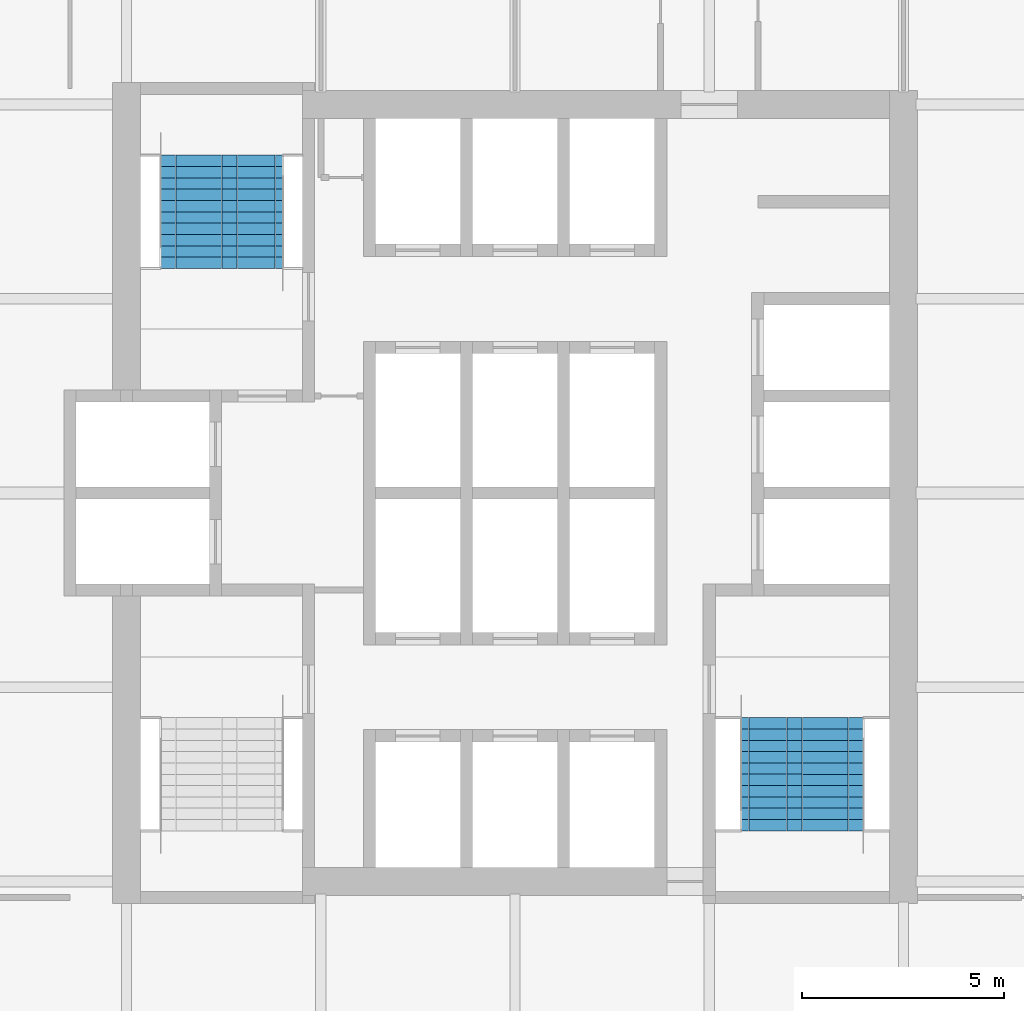
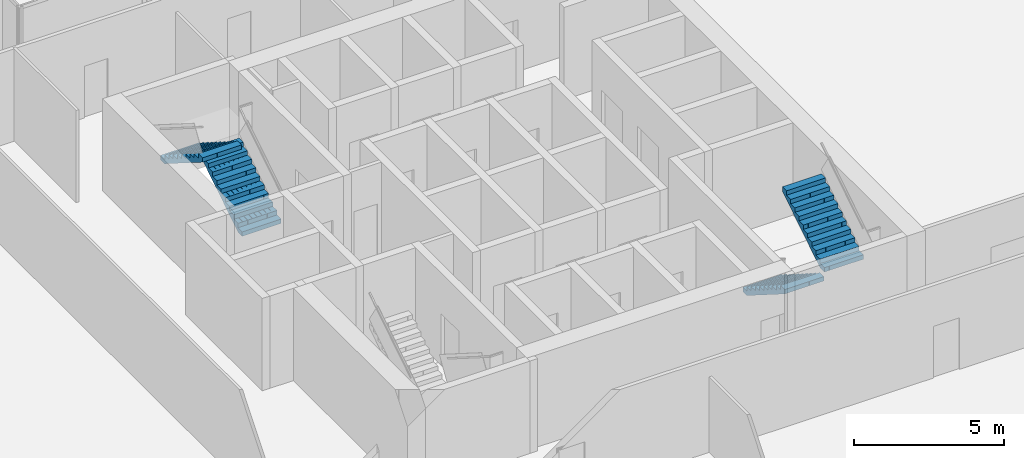
# One storey, part 15 of 17: 4 stair flights, 2 elements without a shape of their own.
"""IFC4 building model written with IfcOpenShell, lengths in metres."""

from ifc_helpers import new_model, si_unit, direction, frame, origin, place, context, subcontext, project, spatial, polyline, outline, extrude, material, type_object, element, aggregate, save


model = new_model("IFC4")

# Units and contexts
model_context = context("Model", 3, precision=1e-05, world=origin(), true_north=direction((0.0, 1.0)))
body_context = subcontext(model_context, "Body", "Model", "MODEL_VIEW")
ifc_project = project(units=[si_unit("LENGTHUNIT", "METRE"), si_unit("AREAUNIT", "SQUARE_METRE"), si_unit("VOLUMEUNIT", "CUBIC_METRE"), si_unit("PLANEANGLEUNIT", "RADIAN"), si_unit("MASSUNIT", "GRAM", prefix="KILO")], contexts=[model_context])

# Site, building, storey
site_placement = place(None, origin())
site = spatial("IfcSite", under=ifc_project, at=site_placement, CompositionType="ELEMENT")
building_placement = place(site_placement, origin())
building = spatial("IfcBuilding", under=site, at=building_placement, Name="Kolab Exchange Tower", CompositionType="ELEMENT")
storey_placement = place(building_placement, frame((0.0, 0.0, 166.10009765625)))
storey = spatial("IfcBuildingStorey", under=building, at=storey_placement, Name="L34", CompositionType="ELEMENT", Elevation=166.10009765625)

# Stair, stair flights
ifc_material = material(Name="Concrete C50/60", Category="concrete")
stair_type_1 = type_object("IfcStairType", Name="STAIR ST1 RISER 177.3", PredefinedType="HALF_TURN_STAIR", material=ifc_material)
stair_1_placement = place(storey_placement, origin())
stair_1 = element("IfcStair", 1, at=stair_1_placement, inside=storey, type_object=stair_type_1, Name="Stair 1", PredefinedType="HALF_TURN_STAIR")
stair_flight_type = type_object("IfcStairFlightType", Name="STAIR FLIGHT 1500 RISER 177.3", PredefinedType="STRAIGHT", material=ifc_material)
stair_flight_1_placement = place(storey_placement, frame((-6.489990234375, 5.550048828125, 0.0), z_axis=(0.0, 0.0, 1.0), x_axis=(0.0, 1.0, 0.0)))
stair_flight_1 = element("IfcStairFlight", 2, at=stair_flight_1_placement, type_object=stair_flight_type, Name="ST1 flight 1", NumberOfRisers=11, NumberOfTreads=10, PredefinedType="STRAIGHT", RiserHeight=0.177272727, TreadLength=0.28, context=body_context, shape_type="SweptSolid", body=[
    extrude(outline(polyline([(0.0, 0.0), (0.0, 0.17724609375), (0.280029296875, 0.17724609375), (0.280029296875, 0.3544921875), (0.56005859375, 0.3544921875), (0.56005859375, 0.53173828125), (0.840087890625, 0.53173828125), (0.840087890625, 0.708984375), (1.1201171875, 0.708984375), (1.1201171875, 0.886474609375), (1.39990234375, 0.886474609375), (1.39990234375, 1.063720703125), (1.679931640625, 1.063720703125), (1.679931640625, 1.240966796875), (1.9599609375, 1.240966796875), (1.9599609375, 1.418212890625), (2.239990234375, 1.418212890625), (2.239990234375, 1.595458984375), (2.52001953125, 1.595458984375), (2.52001953125, 1.772705078125), (2.800048828125, 1.772705078125), (2.800048828125, 1.949951171875), (2.800048828125, 1.59521484375), (0.2802734375, 0.0), (0.0, 0.0)])), frame((0.0, 0.75, 0.0), z_axis=(0.0, -1.0, 0.0), x_axis=(1.0, 0.0, 0.0)), (0.0, 0.0, 1.0), 0.185791015625),
    extrude(outline(polyline([(0.0, 0.0), (0.0, 0.17724609375), (0.280029296875, 0.17724609375), (0.280029296875, 0.3544921875), (0.56005859375, 0.3544921875), (0.56005859375, 0.53173828125), (0.840087890625, 0.53173828125), (0.840087890625, 0.708984375), (1.1201171875, 0.708984375), (1.1201171875, 0.886474609375), (1.39990234375, 0.886474609375), (1.39990234375, 1.063720703125), (1.679931640625, 1.063720703125), (1.679931640625, 1.240966796875), (1.9599609375, 1.240966796875), (1.9599609375, 1.418212890625), (2.239990234375, 1.418212890625), (2.239990234375, 1.595458984375), (2.52001953125, 1.595458984375), (2.52001953125, 1.772705078125), (2.800048828125, 1.772705078125), (2.800048828125, 1.949951171875), (2.800048828125, 1.59521484375), (0.2802734375, 0.0), (0.0, 0.0)])), frame((0.0, 0.562255859375, 0.0), z_axis=(0.0, -1.0, 0.0), x_axis=(1.0, 0.0, 0.0)), (0.0, 0.0, 1.0), 0.185791015625),
    extrude(outline(polyline([(0.0, 0.0), (0.0, 0.17724609375), (0.280029296875, 0.17724609375), (0.280029296875, 0.3544921875), (0.56005859375, 0.3544921875), (0.56005859375, 0.53173828125), (0.840087890625, 0.53173828125), (0.840087890625, 0.708984375), (1.1201171875, 0.708984375), (1.1201171875, 0.886474609375), (1.39990234375, 0.886474609375), (1.39990234375, 1.063720703125), (1.679931640625, 1.063720703125), (1.679931640625, 1.240966796875), (1.9599609375, 1.240966796875), (1.9599609375, 1.418212890625), (2.239990234375, 1.418212890625), (2.239990234375, 1.595458984375), (2.52001953125, 1.595458984375), (2.52001953125, 1.772705078125), (2.800048828125, 1.772705078125), (2.800048828125, 1.949951171875), (2.800048828125, 1.59521484375), (0.2802734375, 0.0), (0.0, 0.0)])), frame((0.0, 0.37451171875, 0.0), z_axis=(0.0, -1.0, 0.0), x_axis=(1.0, 0.0, 0.0)), (0.0, 0.0, 1.0), 0.185791015625),
    extrude(outline(polyline([(0.0, 0.0), (0.0, 0.17724609375), (0.280029296875, 0.17724609375), (0.280029296875, 0.3544921875), (0.56005859375, 0.3544921875), (0.56005859375, 0.53173828125), (0.840087890625, 0.53173828125), (0.840087890625, 0.708984375), (1.1201171875, 0.708984375), (1.1201171875, 0.886474609375), (1.39990234375, 0.886474609375), (1.39990234375, 1.063720703125), (1.679931640625, 1.063720703125), (1.679931640625, 1.240966796875), (1.9599609375, 1.240966796875), (1.9599609375, 1.418212890625), (2.239990234375, 1.418212890625), (2.239990234375, 1.595458984375), (2.52001953125, 1.595458984375), (2.52001953125, 1.772705078125), (2.800048828125, 1.772705078125), (2.800048828125, 1.949951171875), (2.800048828125, 1.59521484375), (0.2802734375, 0.0), (0.0, 0.0)])), frame((0.0, 0.186767578125, 0.0), z_axis=(0.0, -1.0, 0.0), x_axis=(1.0, 0.0, 0.0)), (0.0, 0.0, 1.0), 0.185791015625),
    extrude(outline(polyline([(0.0, 0.0), (0.0, 0.17724609375), (0.280029296875, 0.17724609375), (0.280029296875, 0.3544921875), (0.56005859375, 0.3544921875), (0.56005859375, 0.53173828125), (0.840087890625, 0.53173828125), (0.840087890625, 0.708984375), (1.1201171875, 0.708984375), (1.1201171875, 0.886474609375), (1.39990234375, 0.886474609375), (1.39990234375, 1.063720703125), (1.679931640625, 1.063720703125), (1.679931640625, 1.240966796875), (1.9599609375, 1.240966796875), (1.9599609375, 1.418212890625), (2.239990234375, 1.418212890625), (2.239990234375, 1.595458984375), (2.52001953125, 1.595458984375), (2.52001953125, 1.772705078125), (2.800048828125, 1.772705078125), (2.800048828125, 1.949951171875), (2.800048828125, 1.59521484375), (0.2802734375, 0.0), (0.0, 0.0)])), frame((0.0, -0.0009765625, 0.0), z_axis=(0.0, -1.0, 0.0), x_axis=(1.0, 0.0, 0.0)), (0.0, 0.0, 1.0), 0.185791015625),
    extrude(outline(polyline([(0.0, 0.0), (0.0, 0.17724609375), (0.280029296875, 0.17724609375), (0.280029296875, 0.3544921875), (0.56005859375, 0.3544921875), (0.56005859375, 0.53173828125), (0.840087890625, 0.53173828125), (0.840087890625, 0.708984375), (1.1201171875, 0.708984375), (1.1201171875, 0.886474609375), (1.39990234375, 0.886474609375), (1.39990234375, 1.063720703125), (1.679931640625, 1.063720703125), (1.679931640625, 1.240966796875), (1.9599609375, 1.240966796875), (1.9599609375, 1.418212890625), (2.239990234375, 1.418212890625), (2.239990234375, 1.595458984375), (2.52001953125, 1.595458984375), (2.52001953125, 1.772705078125), (2.800048828125, 1.772705078125), (2.800048828125, 1.949951171875), (2.800048828125, 1.59521484375), (0.2802734375, 0.0), (0.0, 0.0)])), frame((0.0, -0.188720703125, 0.0), z_axis=(0.0, -1.0, 0.0), x_axis=(1.0, 0.0, 0.0)), (0.0, 0.0, 1.0), 0.185791015625),
    extrude(outline(polyline([(0.0, 0.0), (0.0, 0.17724609375), (0.280029296875, 0.17724609375), (0.280029296875, 0.3544921875), (0.56005859375, 0.3544921875), (0.56005859375, 0.53173828125), (0.840087890625, 0.53173828125), (0.840087890625, 0.708984375), (1.1201171875, 0.708984375), (1.1201171875, 0.886474609375), (1.39990234375, 0.886474609375), (1.39990234375, 1.063720703125), (1.679931640625, 1.063720703125), (1.679931640625, 1.240966796875), (1.9599609375, 1.240966796875), (1.9599609375, 1.418212890625), (2.239990234375, 1.418212890625), (2.239990234375, 1.595458984375), (2.52001953125, 1.595458984375), (2.52001953125, 1.772705078125), (2.800048828125, 1.772705078125), (2.800048828125, 1.949951171875), (2.800048828125, 1.59521484375), (0.2802734375, 0.0), (0.0, 0.0)])), frame((0.0, -0.37646484375, 0.0), z_axis=(0.0, -1.0, 0.0), x_axis=(1.0, 0.0, 0.0)), (0.0, 0.0, 1.0), 0.185791015625),
    extrude(outline(polyline([(0.0, 0.0), (0.0, 0.17724609375), (0.280029296875, 0.17724609375), (0.280029296875, 0.3544921875), (0.56005859375, 0.3544921875), (0.56005859375, 0.53173828125), (0.840087890625, 0.53173828125), (0.840087890625, 0.708984375), (1.1201171875, 0.708984375), (1.1201171875, 0.886474609375), (1.39990234375, 0.886474609375), (1.39990234375, 1.063720703125), (1.679931640625, 1.063720703125), (1.679931640625, 1.240966796875), (1.9599609375, 1.240966796875), (1.9599609375, 1.418212890625), (2.239990234375, 1.418212890625), (2.239990234375, 1.595458984375), (2.52001953125, 1.595458984375), (2.52001953125, 1.772705078125), (2.800048828125, 1.772705078125), (2.800048828125, 1.949951171875), (2.800048828125, 1.59521484375), (0.2802734375, 0.0), (0.0, 0.0)])), frame((0.0, -0.564208984375, 0.0), z_axis=(0.0, -1.0, 0.0), x_axis=(1.0, 0.0, 0.0)), (0.0, 0.0, 1.0), 0.185791015625),
])
stair_flight_2_placement = place(storey_placement, frame((-8.010009765625, 8.35009765625, 1.949951171875), z_axis=(0.0, 0.0, 1.0), x_axis=(0.0, -1.0, 0.0)))
stair_flight_2 = element("IfcStairFlight", 3, at=stair_flight_2_placement, type_object=stair_flight_type, Name="ST1 flight 2", NumberOfRisers=11, NumberOfTreads=10, PredefinedType="STRAIGHT", RiserHeight=0.177272727, TreadLength=0.28, context=body_context, shape_type="SweptSolid", body=[
    extrude(outline(polyline([(0.0, 0.0), (0.0, 0.17724609375), (0.280029296875, 0.17724609375), (0.280029296875, 0.3544921875), (0.56005859375, 0.3544921875), (0.56005859375, 0.53173828125), (0.840087890625, 0.53173828125), (0.840087890625, 0.708984375), (1.1201171875, 0.708984375), (1.1201171875, 0.886474609375), (1.39990234375, 0.886474609375), (1.39990234375, 1.063720703125), (1.679931640625, 1.063720703125), (1.679931640625, 1.240966796875), (1.9599609375, 1.240966796875), (1.9599609375, 1.418212890625), (2.239990234375, 1.418212890625), (2.239990234375, 1.595458984375), (2.52001953125, 1.595458984375), (2.52001953125, 1.772705078125), (2.800048828125, 1.772705078125), (2.800048828125, 1.949951171875), (2.800048828125, 1.59521484375), (0.2802734375, 0.0), (0.0, 0.0)])), frame((0.0, 0.75, 0.0), z_axis=(0.0, -1.0, 0.0), x_axis=(1.0, 0.0, 0.0)), (0.0, 0.0, 1.0), 0.185791015625),
    extrude(outline(polyline([(0.0, 0.0), (0.0, 0.17724609375), (0.280029296875, 0.17724609375), (0.280029296875, 0.3544921875), (0.56005859375, 0.3544921875), (0.56005859375, 0.53173828125), (0.840087890625, 0.53173828125), (0.840087890625, 0.708984375), (1.1201171875, 0.708984375), (1.1201171875, 0.886474609375), (1.39990234375, 0.886474609375), (1.39990234375, 1.063720703125), (1.679931640625, 1.063720703125), (1.679931640625, 1.240966796875), (1.9599609375, 1.240966796875), (1.9599609375, 1.418212890625), (2.239990234375, 1.418212890625), (2.239990234375, 1.595458984375), (2.52001953125, 1.595458984375), (2.52001953125, 1.772705078125), (2.800048828125, 1.772705078125), (2.800048828125, 1.949951171875), (2.800048828125, 1.59521484375), (0.2802734375, 0.0), (0.0, 0.0)])), frame((0.0, 0.562255859375, 0.0), z_axis=(0.0, -1.0, 0.0), x_axis=(1.0, 0.0, 0.0)), (0.0, 0.0, 1.0), 0.185791015625),
    extrude(outline(polyline([(0.0, 0.0), (0.0, 0.17724609375), (0.280029296875, 0.17724609375), (0.280029296875, 0.3544921875), (0.56005859375, 0.3544921875), (0.56005859375, 0.53173828125), (0.840087890625, 0.53173828125), (0.840087890625, 0.708984375), (1.1201171875, 0.708984375), (1.1201171875, 0.886474609375), (1.39990234375, 0.886474609375), (1.39990234375, 1.063720703125), (1.679931640625, 1.063720703125), (1.679931640625, 1.240966796875), (1.9599609375, 1.240966796875), (1.9599609375, 1.418212890625), (2.239990234375, 1.418212890625), (2.239990234375, 1.595458984375), (2.52001953125, 1.595458984375), (2.52001953125, 1.772705078125), (2.800048828125, 1.772705078125), (2.800048828125, 1.949951171875), (2.800048828125, 1.59521484375), (0.2802734375, 0.0), (0.0, 0.0)])), frame((0.0, 0.37451171875, 0.0), z_axis=(0.0, -1.0, 0.0), x_axis=(1.0, 0.0, 0.0)), (0.0, 0.0, 1.0), 0.185791015625),
    extrude(outline(polyline([(0.0, 0.0), (0.0, 0.17724609375), (0.280029296875, 0.17724609375), (0.280029296875, 0.3544921875), (0.56005859375, 0.3544921875), (0.56005859375, 0.53173828125), (0.840087890625, 0.53173828125), (0.840087890625, 0.708984375), (1.1201171875, 0.708984375), (1.1201171875, 0.886474609375), (1.39990234375, 0.886474609375), (1.39990234375, 1.063720703125), (1.679931640625, 1.063720703125), (1.679931640625, 1.240966796875), (1.9599609375, 1.240966796875), (1.9599609375, 1.418212890625), (2.239990234375, 1.418212890625), (2.239990234375, 1.595458984375), (2.52001953125, 1.595458984375), (2.52001953125, 1.772705078125), (2.800048828125, 1.772705078125), (2.800048828125, 1.949951171875), (2.800048828125, 1.59521484375), (0.2802734375, 0.0), (0.0, 0.0)])), frame((0.0, 0.186767578125, 0.0), z_axis=(0.0, -1.0, 0.0), x_axis=(1.0, 0.0, 0.0)), (0.0, 0.0, 1.0), 0.185791015625),
    extrude(outline(polyline([(0.0, 0.0), (0.0, 0.17724609375), (0.280029296875, 0.17724609375), (0.280029296875, 0.3544921875), (0.56005859375, 0.3544921875), (0.56005859375, 0.53173828125), (0.840087890625, 0.53173828125), (0.840087890625, 0.708984375), (1.1201171875, 0.708984375), (1.1201171875, 0.886474609375), (1.39990234375, 0.886474609375), (1.39990234375, 1.063720703125), (1.679931640625, 1.063720703125), (1.679931640625, 1.240966796875), (1.9599609375, 1.240966796875), (1.9599609375, 1.418212890625), (2.239990234375, 1.418212890625), (2.239990234375, 1.595458984375), (2.52001953125, 1.595458984375), (2.52001953125, 1.772705078125), (2.800048828125, 1.772705078125), (2.800048828125, 1.949951171875), (2.800048828125, 1.59521484375), (0.2802734375, 0.0), (0.0, 0.0)])), frame((0.0, -0.0009765625, 0.0), z_axis=(0.0, -1.0, 0.0), x_axis=(1.0, 0.0, 0.0)), (0.0, 0.0, 1.0), 0.185791015625),
    extrude(outline(polyline([(0.0, 0.0), (0.0, 0.17724609375), (0.280029296875, 0.17724609375), (0.280029296875, 0.3544921875), (0.56005859375, 0.3544921875), (0.56005859375, 0.53173828125), (0.840087890625, 0.53173828125), (0.840087890625, 0.708984375), (1.1201171875, 0.708984375), (1.1201171875, 0.886474609375), (1.39990234375, 0.886474609375), (1.39990234375, 1.063720703125), (1.679931640625, 1.063720703125), (1.679931640625, 1.240966796875), (1.9599609375, 1.240966796875), (1.9599609375, 1.418212890625), (2.239990234375, 1.418212890625), (2.239990234375, 1.595458984375), (2.52001953125, 1.595458984375), (2.52001953125, 1.772705078125), (2.800048828125, 1.772705078125), (2.800048828125, 1.949951171875), (2.800048828125, 1.59521484375), (0.2802734375, 0.0), (0.0, 0.0)])), frame((0.0, -0.188720703125, 0.0), z_axis=(0.0, -1.0, 0.0), x_axis=(1.0, 0.0, 0.0)), (0.0, 0.0, 1.0), 0.185791015625),
    extrude(outline(polyline([(0.0, 0.0), (0.0, 0.17724609375), (0.280029296875, 0.17724609375), (0.280029296875, 0.3544921875), (0.56005859375, 0.3544921875), (0.56005859375, 0.53173828125), (0.840087890625, 0.53173828125), (0.840087890625, 0.708984375), (1.1201171875, 0.708984375), (1.1201171875, 0.886474609375), (1.39990234375, 0.886474609375), (1.39990234375, 1.063720703125), (1.679931640625, 1.063720703125), (1.679931640625, 1.240966796875), (1.9599609375, 1.240966796875), (1.9599609375, 1.418212890625), (2.239990234375, 1.418212890625), (2.239990234375, 1.595458984375), (2.52001953125, 1.595458984375), (2.52001953125, 1.772705078125), (2.800048828125, 1.772705078125), (2.800048828125, 1.949951171875), (2.800048828125, 1.59521484375), (0.2802734375, 0.0), (0.0, 0.0)])), frame((0.0, -0.37646484375, 0.0), z_axis=(0.0, -1.0, 0.0), x_axis=(1.0, 0.0, 0.0)), (0.0, 0.0, 1.0), 0.185791015625),
    extrude(outline(polyline([(0.0, 0.0), (0.0, 0.17724609375), (0.280029296875, 0.17724609375), (0.280029296875, 0.3544921875), (0.56005859375, 0.3544921875), (0.56005859375, 0.53173828125), (0.840087890625, 0.53173828125), (0.840087890625, 0.708984375), (1.1201171875, 0.708984375), (1.1201171875, 0.886474609375), (1.39990234375, 0.886474609375), (1.39990234375, 1.063720703125), (1.679931640625, 1.063720703125), (1.679931640625, 1.240966796875), (1.9599609375, 1.240966796875), (1.9599609375, 1.418212890625), (2.239990234375, 1.418212890625), (2.239990234375, 1.595458984375), (2.52001953125, 1.595458984375), (2.52001953125, 1.772705078125), (2.800048828125, 1.772705078125), (2.800048828125, 1.949951171875), (2.800048828125, 1.59521484375), (0.2802734375, 0.0), (0.0, 0.0)])), frame((0.0, -0.564208984375, 0.0), z_axis=(0.0, -1.0, 0.0), x_axis=(1.0, 0.0, 0.0)), (0.0, 0.0, 1.0), 0.185791015625),
])
aggregate(stair_1, [stair_flight_1, stair_flight_2])

stair_type_2 = type_object("IfcStairType", Name="STAIR ST2 RISER 177.3", PredefinedType="HALF_TURN_STAIR", material=ifc_material)
stair_2_placement = place(storey_placement, origin())
stair_2 = element("IfcStair", 4, at=stair_2_placement, inside=storey, type_object=stair_type_2, Name="Stair 2", PredefinedType="HALF_TURN_STAIR")
stair_flight_3_placement = place(storey_placement, frame((6.340087890625, -5.550048828125, 0.0), z_axis=(0.0, 0.0, 1.0), x_axis=(0.0, -1.0, 0.0)))
stair_flight_3 = element("IfcStairFlight", 5, at=stair_flight_3_placement, type_object=stair_flight_type, Name="ST2 flight 1", NumberOfRisers=11, NumberOfTreads=10, PredefinedType="STRAIGHT", RiserHeight=0.177272727, TreadLength=0.28, context=body_context, shape_type="SweptSolid", body=[
    extrude(outline(polyline([(0.0, 0.0), (0.0, 0.17724609375), (0.280029296875, 0.17724609375), (0.280029296875, 0.3544921875), (0.56005859375, 0.3544921875), (0.56005859375, 0.53173828125), (0.840087890625, 0.53173828125), (0.840087890625, 0.708984375), (1.1201171875, 0.708984375), (1.1201171875, 0.886474609375), (1.39990234375, 0.886474609375), (1.39990234375, 1.063720703125), (1.679931640625, 1.063720703125), (1.679931640625, 1.240966796875), (1.9599609375, 1.240966796875), (1.9599609375, 1.418212890625), (2.239990234375, 1.418212890625), (2.239990234375, 1.595458984375), (2.52001953125, 1.595458984375), (2.52001953125, 1.772705078125), (2.800048828125, 1.772705078125), (2.800048828125, 1.949951171875), (2.800048828125, 1.59521484375), (0.2802734375, 0.0), (0.0, 0.0)])), frame((0.0, 0.75, 0.0), z_axis=(0.0, -1.0, 0.0), x_axis=(1.0, 0.0, 0.0)), (0.0, 0.0, 1.0), 0.185791015625),
    extrude(outline(polyline([(0.0, 0.0), (0.0, 0.17724609375), (0.280029296875, 0.17724609375), (0.280029296875, 0.3544921875), (0.56005859375, 0.3544921875), (0.56005859375, 0.53173828125), (0.840087890625, 0.53173828125), (0.840087890625, 0.708984375), (1.1201171875, 0.708984375), (1.1201171875, 0.886474609375), (1.39990234375, 0.886474609375), (1.39990234375, 1.063720703125), (1.679931640625, 1.063720703125), (1.679931640625, 1.240966796875), (1.9599609375, 1.240966796875), (1.9599609375, 1.418212890625), (2.239990234375, 1.418212890625), (2.239990234375, 1.595458984375), (2.52001953125, 1.595458984375), (2.52001953125, 1.772705078125), (2.800048828125, 1.772705078125), (2.800048828125, 1.949951171875), (2.800048828125, 1.59521484375), (0.2802734375, 0.0), (0.0, 0.0)])), frame((0.0, 0.562255859375, 0.0), z_axis=(0.0, -1.0, 0.0), x_axis=(1.0, 0.0, 0.0)), (0.0, 0.0, 1.0), 0.185791015625),
    extrude(outline(polyline([(0.0, 0.0), (0.0, 0.17724609375), (0.280029296875, 0.17724609375), (0.280029296875, 0.3544921875), (0.56005859375, 0.3544921875), (0.56005859375, 0.53173828125), (0.840087890625, 0.53173828125), (0.840087890625, 0.708984375), (1.1201171875, 0.708984375), (1.1201171875, 0.886474609375), (1.39990234375, 0.886474609375), (1.39990234375, 1.063720703125), (1.679931640625, 1.063720703125), (1.679931640625, 1.240966796875), (1.9599609375, 1.240966796875), (1.9599609375, 1.418212890625), (2.239990234375, 1.418212890625), (2.239990234375, 1.595458984375), (2.52001953125, 1.595458984375), (2.52001953125, 1.772705078125), (2.800048828125, 1.772705078125), (2.800048828125, 1.949951171875), (2.800048828125, 1.59521484375), (0.2802734375, 0.0), (0.0, 0.0)])), frame((0.0, 0.37451171875, 0.0), z_axis=(0.0, -1.0, 0.0), x_axis=(1.0, 0.0, 0.0)), (0.0, 0.0, 1.0), 0.185791015625),
    extrude(outline(polyline([(0.0, 0.0), (0.0, 0.17724609375), (0.280029296875, 0.17724609375), (0.280029296875, 0.3544921875), (0.56005859375, 0.3544921875), (0.56005859375, 0.53173828125), (0.840087890625, 0.53173828125), (0.840087890625, 0.708984375), (1.1201171875, 0.708984375), (1.1201171875, 0.886474609375), (1.39990234375, 0.886474609375), (1.39990234375, 1.063720703125), (1.679931640625, 1.063720703125), (1.679931640625, 1.240966796875), (1.9599609375, 1.240966796875), (1.9599609375, 1.418212890625), (2.239990234375, 1.418212890625), (2.239990234375, 1.595458984375), (2.52001953125, 1.595458984375), (2.52001953125, 1.772705078125), (2.800048828125, 1.772705078125), (2.800048828125, 1.949951171875), (2.800048828125, 1.59521484375), (0.2802734375, 0.0), (0.0, 0.0)])), frame((0.0, 0.186767578125, 0.0), z_axis=(0.0, -1.0, 0.0), x_axis=(1.0, 0.0, 0.0)), (0.0, 0.0, 1.0), 0.185791015625),
    extrude(outline(polyline([(0.0, 0.0), (0.0, 0.17724609375), (0.280029296875, 0.17724609375), (0.280029296875, 0.3544921875), (0.56005859375, 0.3544921875), (0.56005859375, 0.53173828125), (0.840087890625, 0.53173828125), (0.840087890625, 0.708984375), (1.1201171875, 0.708984375), (1.1201171875, 0.886474609375), (1.39990234375, 0.886474609375), (1.39990234375, 1.063720703125), (1.679931640625, 1.063720703125), (1.679931640625, 1.240966796875), (1.9599609375, 1.240966796875), (1.9599609375, 1.418212890625), (2.239990234375, 1.418212890625), (2.239990234375, 1.595458984375), (2.52001953125, 1.595458984375), (2.52001953125, 1.772705078125), (2.800048828125, 1.772705078125), (2.800048828125, 1.949951171875), (2.800048828125, 1.59521484375), (0.2802734375, 0.0), (0.0, 0.0)])), frame((0.0, -0.0009765625, 0.0), z_axis=(0.0, -1.0, 0.0), x_axis=(1.0, 0.0, 0.0)), (0.0, 0.0, 1.0), 0.185791015625),
    extrude(outline(polyline([(0.0, 0.0), (0.0, 0.17724609375), (0.280029296875, 0.17724609375), (0.280029296875, 0.3544921875), (0.56005859375, 0.3544921875), (0.56005859375, 0.53173828125), (0.840087890625, 0.53173828125), (0.840087890625, 0.708984375), (1.1201171875, 0.708984375), (1.1201171875, 0.886474609375), (1.39990234375, 0.886474609375), (1.39990234375, 1.063720703125), (1.679931640625, 1.063720703125), (1.679931640625, 1.240966796875), (1.9599609375, 1.240966796875), (1.9599609375, 1.418212890625), (2.239990234375, 1.418212890625), (2.239990234375, 1.595458984375), (2.52001953125, 1.595458984375), (2.52001953125, 1.772705078125), (2.800048828125, 1.772705078125), (2.800048828125, 1.949951171875), (2.800048828125, 1.59521484375), (0.2802734375, 0.0), (0.0, 0.0)])), frame((0.0, -0.188720703125, 0.0), z_axis=(0.0, -1.0, 0.0), x_axis=(1.0, 0.0, 0.0)), (0.0, 0.0, 1.0), 0.185791015625),
    extrude(outline(polyline([(0.0, 0.0), (0.0, 0.17724609375), (0.280029296875, 0.17724609375), (0.280029296875, 0.3544921875), (0.56005859375, 0.3544921875), (0.56005859375, 0.53173828125), (0.840087890625, 0.53173828125), (0.840087890625, 0.708984375), (1.1201171875, 0.708984375), (1.1201171875, 0.886474609375), (1.39990234375, 0.886474609375), (1.39990234375, 1.063720703125), (1.679931640625, 1.063720703125), (1.679931640625, 1.240966796875), (1.9599609375, 1.240966796875), (1.9599609375, 1.418212890625), (2.239990234375, 1.418212890625), (2.239990234375, 1.595458984375), (2.52001953125, 1.595458984375), (2.52001953125, 1.772705078125), (2.800048828125, 1.772705078125), (2.800048828125, 1.949951171875), (2.800048828125, 1.59521484375), (0.2802734375, 0.0), (0.0, 0.0)])), frame((0.0, -0.37646484375, 0.0), z_axis=(0.0, -1.0, 0.0), x_axis=(1.0, 0.0, 0.0)), (0.0, 0.0, 1.0), 0.185791015625),
    extrude(outline(polyline([(0.0, 0.0), (0.0, 0.17724609375), (0.280029296875, 0.17724609375), (0.280029296875, 0.3544921875), (0.56005859375, 0.3544921875), (0.56005859375, 0.53173828125), (0.840087890625, 0.53173828125), (0.840087890625, 0.708984375), (1.1201171875, 0.708984375), (1.1201171875, 0.886474609375), (1.39990234375, 0.886474609375), (1.39990234375, 1.063720703125), (1.679931640625, 1.063720703125), (1.679931640625, 1.240966796875), (1.9599609375, 1.240966796875), (1.9599609375, 1.418212890625), (2.239990234375, 1.418212890625), (2.239990234375, 1.595458984375), (2.52001953125, 1.595458984375), (2.52001953125, 1.772705078125), (2.800048828125, 1.772705078125), (2.800048828125, 1.949951171875), (2.800048828125, 1.59521484375), (0.2802734375, 0.0), (0.0, 0.0)])), frame((0.0, -0.564208984375, 0.0), z_axis=(0.0, -1.0, 0.0), x_axis=(1.0, 0.0, 0.0)), (0.0, 0.0, 1.0), 0.185791015625),
])
stair_flight_4_placement = place(storey_placement, frame((7.860107421875, -8.35009765625, 1.949951171875), z_axis=(0.0, 0.0, 1.0), x_axis=(0.0, 1.0, 0.0)))
stair_flight_4 = element("IfcStairFlight", 6, at=stair_flight_4_placement, type_object=stair_flight_type, Name="ST2 flight 2", NumberOfRisers=11, NumberOfTreads=10, PredefinedType="STRAIGHT", RiserHeight=0.177272727, TreadLength=0.28, context=body_context, shape_type="SweptSolid", body=[
    extrude(outline(polyline([(0.0, 0.0), (0.0, 0.17724609375), (0.280029296875, 0.17724609375), (0.280029296875, 0.3544921875), (0.56005859375, 0.3544921875), (0.56005859375, 0.53173828125), (0.840087890625, 0.53173828125), (0.840087890625, 0.708984375), (1.1201171875, 0.708984375), (1.1201171875, 0.886474609375), (1.39990234375, 0.886474609375), (1.39990234375, 1.063720703125), (1.679931640625, 1.063720703125), (1.679931640625, 1.240966796875), (1.9599609375, 1.240966796875), (1.9599609375, 1.418212890625), (2.239990234375, 1.418212890625), (2.239990234375, 1.595458984375), (2.52001953125, 1.595458984375), (2.52001953125, 1.772705078125), (2.800048828125, 1.772705078125), (2.800048828125, 1.949951171875), (2.800048828125, 1.59521484375), (0.2802734375, 0.0), (0.0, 0.0)])), frame((0.0, 0.75, 0.0), z_axis=(0.0, -1.0, 0.0), x_axis=(1.0, 0.0, 0.0)), (0.0, 0.0, 1.0), 0.185791015625),
    extrude(outline(polyline([(0.0, 0.0), (0.0, 0.17724609375), (0.280029296875, 0.17724609375), (0.280029296875, 0.3544921875), (0.56005859375, 0.3544921875), (0.56005859375, 0.53173828125), (0.840087890625, 0.53173828125), (0.840087890625, 0.708984375), (1.1201171875, 0.708984375), (1.1201171875, 0.886474609375), (1.39990234375, 0.886474609375), (1.39990234375, 1.063720703125), (1.679931640625, 1.063720703125), (1.679931640625, 1.240966796875), (1.9599609375, 1.240966796875), (1.9599609375, 1.418212890625), (2.239990234375, 1.418212890625), (2.239990234375, 1.595458984375), (2.52001953125, 1.595458984375), (2.52001953125, 1.772705078125), (2.800048828125, 1.772705078125), (2.800048828125, 1.949951171875), (2.800048828125, 1.59521484375), (0.2802734375, 0.0), (0.0, 0.0)])), frame((0.0, 0.562255859375, 0.0), z_axis=(0.0, -1.0, 0.0), x_axis=(1.0, 0.0, 0.0)), (0.0, 0.0, 1.0), 0.185791015625),
    extrude(outline(polyline([(0.0, 0.0), (0.0, 0.17724609375), (0.280029296875, 0.17724609375), (0.280029296875, 0.3544921875), (0.56005859375, 0.3544921875), (0.56005859375, 0.53173828125), (0.840087890625, 0.53173828125), (0.840087890625, 0.708984375), (1.1201171875, 0.708984375), (1.1201171875, 0.886474609375), (1.39990234375, 0.886474609375), (1.39990234375, 1.063720703125), (1.679931640625, 1.063720703125), (1.679931640625, 1.240966796875), (1.9599609375, 1.240966796875), (1.9599609375, 1.418212890625), (2.239990234375, 1.418212890625), (2.239990234375, 1.595458984375), (2.52001953125, 1.595458984375), (2.52001953125, 1.772705078125), (2.800048828125, 1.772705078125), (2.800048828125, 1.949951171875), (2.800048828125, 1.59521484375), (0.2802734375, 0.0), (0.0, 0.0)])), frame((0.0, 0.37451171875, 0.0), z_axis=(0.0, -1.0, 0.0), x_axis=(1.0, 0.0, 0.0)), (0.0, 0.0, 1.0), 0.185791015625),
    extrude(outline(polyline([(0.0, 0.0), (0.0, 0.17724609375), (0.280029296875, 0.17724609375), (0.280029296875, 0.3544921875), (0.56005859375, 0.3544921875), (0.56005859375, 0.53173828125), (0.840087890625, 0.53173828125), (0.840087890625, 0.708984375), (1.1201171875, 0.708984375), (1.1201171875, 0.886474609375), (1.39990234375, 0.886474609375), (1.39990234375, 1.063720703125), (1.679931640625, 1.063720703125), (1.679931640625, 1.240966796875), (1.9599609375, 1.240966796875), (1.9599609375, 1.418212890625), (2.239990234375, 1.418212890625), (2.239990234375, 1.595458984375), (2.52001953125, 1.595458984375), (2.52001953125, 1.772705078125), (2.800048828125, 1.772705078125), (2.800048828125, 1.949951171875), (2.800048828125, 1.59521484375), (0.2802734375, 0.0), (0.0, 0.0)])), frame((0.0, 0.186767578125, 0.0), z_axis=(0.0, -1.0, 0.0), x_axis=(1.0, 0.0, 0.0)), (0.0, 0.0, 1.0), 0.185791015625),
    extrude(outline(polyline([(0.0, 0.0), (0.0, 0.17724609375), (0.280029296875, 0.17724609375), (0.280029296875, 0.3544921875), (0.56005859375, 0.3544921875), (0.56005859375, 0.53173828125), (0.840087890625, 0.53173828125), (0.840087890625, 0.708984375), (1.1201171875, 0.708984375), (1.1201171875, 0.886474609375), (1.39990234375, 0.886474609375), (1.39990234375, 1.063720703125), (1.679931640625, 1.063720703125), (1.679931640625, 1.240966796875), (1.9599609375, 1.240966796875), (1.9599609375, 1.418212890625), (2.239990234375, 1.418212890625), (2.239990234375, 1.595458984375), (2.52001953125, 1.595458984375), (2.52001953125, 1.772705078125), (2.800048828125, 1.772705078125), (2.800048828125, 1.949951171875), (2.800048828125, 1.59521484375), (0.2802734375, 0.0), (0.0, 0.0)])), frame((0.0, -0.0009765625, 0.0), z_axis=(0.0, -1.0, 0.0), x_axis=(1.0, 0.0, 0.0)), (0.0, 0.0, 1.0), 0.185791015625),
    extrude(outline(polyline([(0.0, 0.0), (0.0, 0.17724609375), (0.280029296875, 0.17724609375), (0.280029296875, 0.3544921875), (0.56005859375, 0.3544921875), (0.56005859375, 0.53173828125), (0.840087890625, 0.53173828125), (0.840087890625, 0.708984375), (1.1201171875, 0.708984375), (1.1201171875, 0.886474609375), (1.39990234375, 0.886474609375), (1.39990234375, 1.063720703125), (1.679931640625, 1.063720703125), (1.679931640625, 1.240966796875), (1.9599609375, 1.240966796875), (1.9599609375, 1.418212890625), (2.239990234375, 1.418212890625), (2.239990234375, 1.595458984375), (2.52001953125, 1.595458984375), (2.52001953125, 1.772705078125), (2.800048828125, 1.772705078125), (2.800048828125, 1.949951171875), (2.800048828125, 1.59521484375), (0.2802734375, 0.0), (0.0, 0.0)])), frame((0.0, -0.188720703125, 0.0), z_axis=(0.0, -1.0, 0.0), x_axis=(1.0, 0.0, 0.0)), (0.0, 0.0, 1.0), 0.185791015625),
    extrude(outline(polyline([(0.0, 0.0), (0.0, 0.17724609375), (0.280029296875, 0.17724609375), (0.280029296875, 0.3544921875), (0.56005859375, 0.3544921875), (0.56005859375, 0.53173828125), (0.840087890625, 0.53173828125), (0.840087890625, 0.708984375), (1.1201171875, 0.708984375), (1.1201171875, 0.886474609375), (1.39990234375, 0.886474609375), (1.39990234375, 1.063720703125), (1.679931640625, 1.063720703125), (1.679931640625, 1.240966796875), (1.9599609375, 1.240966796875), (1.9599609375, 1.418212890625), (2.239990234375, 1.418212890625), (2.239990234375, 1.595458984375), (2.52001953125, 1.595458984375), (2.52001953125, 1.772705078125), (2.800048828125, 1.772705078125), (2.800048828125, 1.949951171875), (2.800048828125, 1.59521484375), (0.2802734375, 0.0), (0.0, 0.0)])), frame((0.0, -0.37646484375, 0.0), z_axis=(0.0, -1.0, 0.0), x_axis=(1.0, 0.0, 0.0)), (0.0, 0.0, 1.0), 0.185791015625),
    extrude(outline(polyline([(0.0, 0.0), (0.0, 0.17724609375), (0.280029296875, 0.17724609375), (0.280029296875, 0.3544921875), (0.56005859375, 0.3544921875), (0.56005859375, 0.53173828125), (0.840087890625, 0.53173828125), (0.840087890625, 0.708984375), (1.1201171875, 0.708984375), (1.1201171875, 0.886474609375), (1.39990234375, 0.886474609375), (1.39990234375, 1.063720703125), (1.679931640625, 1.063720703125), (1.679931640625, 1.240966796875), (1.9599609375, 1.240966796875), (1.9599609375, 1.418212890625), (2.239990234375, 1.418212890625), (2.239990234375, 1.595458984375), (2.52001953125, 1.595458984375), (2.52001953125, 1.772705078125), (2.800048828125, 1.772705078125), (2.800048828125, 1.949951171875), (2.800048828125, 1.59521484375), (0.2802734375, 0.0), (0.0, 0.0)])), frame((0.0, -0.564208984375, 0.0), z_axis=(0.0, -1.0, 0.0), x_axis=(1.0, 0.0, 0.0)), (0.0, 0.0, 1.0), 0.185791015625),
])
aggregate(stair_2, [stair_flight_3, stair_flight_4])

save(model, "model.ifc")
